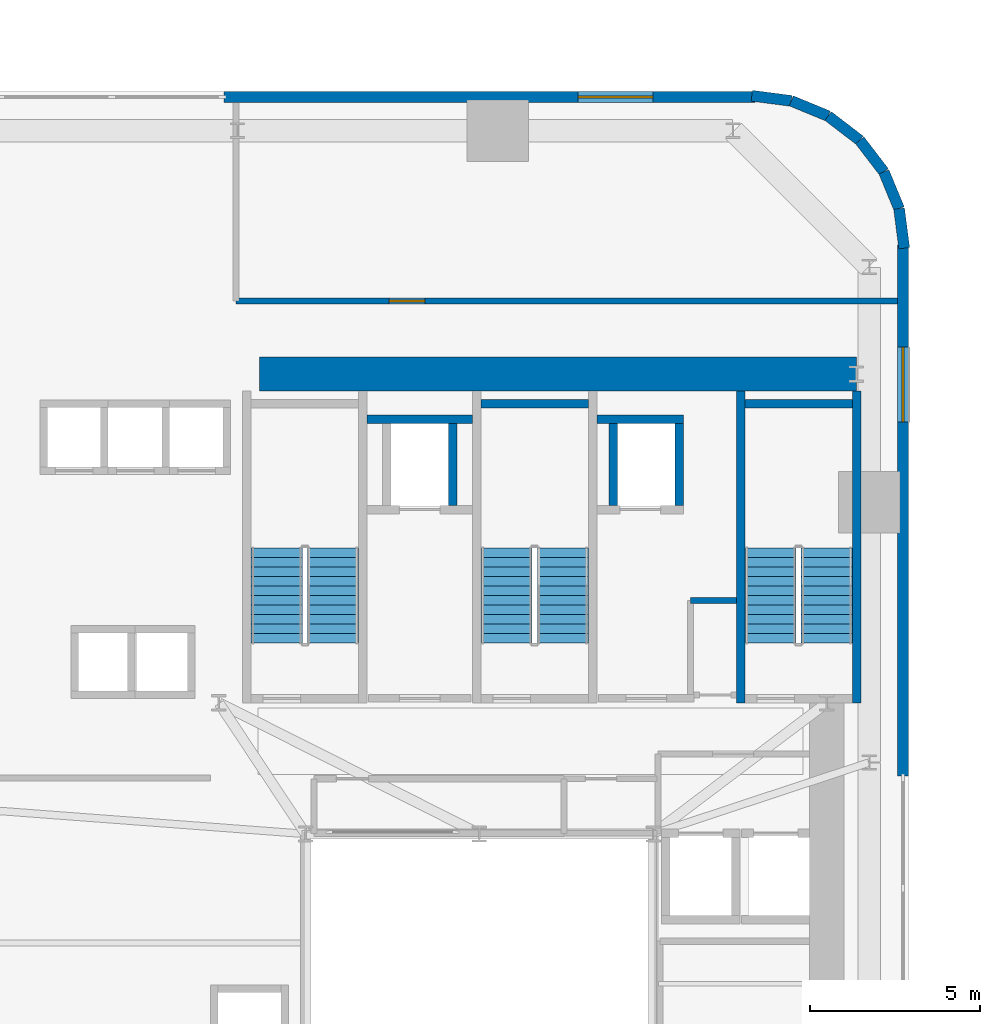
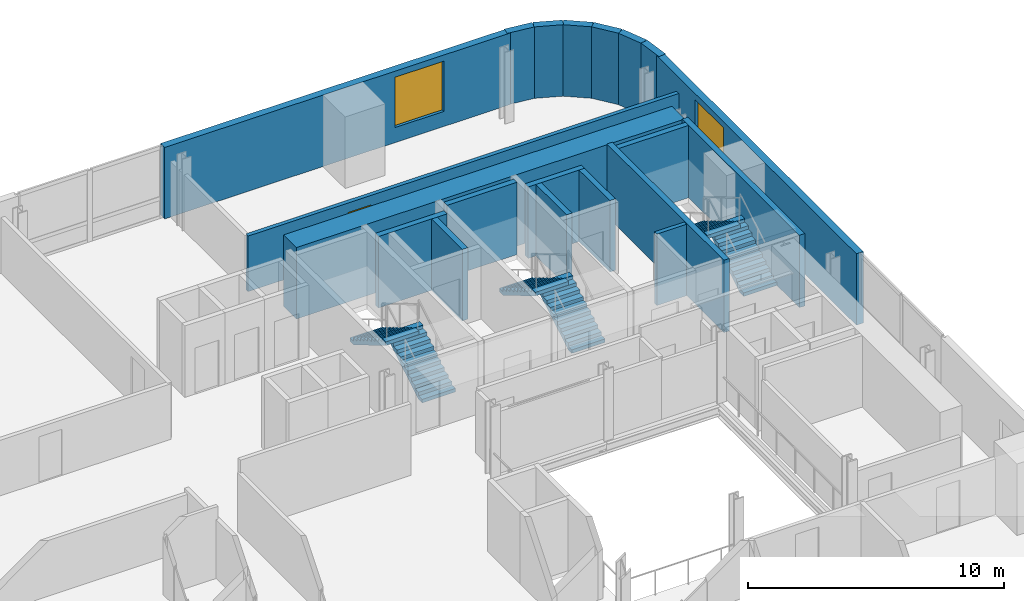
# One storey, part 9 of 13: 20 walls, 6 stair flights, 2 windows, 1 door, 3 openings, 3 elements without a shape of their own.
"""IFC4 building model written with IfcOpenShell, lengths in metres."""

from ifc_helpers import new_model, si_unit, direction, frame, frame_2d, origin, place, context, subcontext, project, spatial, polyline, rectangle, outline, extrude, source, transform, mapped, material, layer, layer_set, type_object, element, fill, aggregate, save


model = new_model("IFC4")

# Units and contexts
model_context = context("Model", 3, precision=1e-05, world=origin(), true_north=direction((0.0, 1.0)))
body_context = subcontext(model_context, "Body", "Model", "MODEL_VIEW")
ifc_project = project(units=[si_unit("LENGTHUNIT", "METRE"), si_unit("AREAUNIT", "SQUARE_METRE"), si_unit("VOLUMEUNIT", "CUBIC_METRE"), si_unit("PLANEANGLEUNIT", "RADIAN"), si_unit("MASSUNIT", "GRAM", prefix="KILO")], contexts=[model_context])

# Site, building, storey
site_placement = place(None, origin())
site = spatial("IfcSite", under=ifc_project, at=site_placement, CompositionType="ELEMENT")
building_placement = place(site_placement, origin())
building = spatial("IfcBuilding", under=site, at=building_placement, Name="Vardaveli Station Tower", CompositionType="ELEMENT")
storey_placement = place(building_placement, frame((0.0, 0.0, 38.550048828125)))
storey = spatial("IfcBuildingStorey", under=building, at=storey_placement, Name="L09", CompositionType="ELEMENT", Elevation=38.550048828125)

# Wall
ifc_material_1 = material(Name="Concrete C60/75", Category="concrete")
ifc_layer_1 = layer(ifc_material_1, 1.0, Name="Concrete C60/75")
ifc_layer_set_1 = layer_set([ifc_layer_1], Name="Concrete C60/75")
wall_type_1 = type_object("IfcWallType", Name="WAL-CORE-1000", PredefinedType="SHEAR", material=ifc_layer_set_1)
shared_shape_1 = source(origin(), body_context, "Body", "SweptSolid", [
    extrude(rectangle(XDim=17.52001953125, YDim=1.0, at=frame_2d((8.760009765625, 0.0))), origin(), (0.0, 0.0, 1.0), 3.409912109375),
])
wall_1_placement = place(storey_placement, frame((29.85009765625, 40.300048828125, 0.0), z_axis=(0.0, 0.0, 1.0), x_axis=(1.0, 0.0, 0.0)))
element("IfcWall", 1, at=wall_1_placement, inside=storey, type_object=wall_type_1, Name="SW-L09-NORTH", PredefinedType="SHEAR", context=body_context, shape_type="MappedRepresentation", body=[
    mapped(shared_shape_1, transform((0.0, 0.0, 0.0), scale=1.0)),
])

# Wall, opening, window
ifc_material_2 = material(Name="Precast concrete C45/55", Category="concrete")
ifc_layer_2 = layer(ifc_material_2, 0.320068359375, Name="Precast concrete C45/55")
ifc_layer_set_2 = layer_set([ifc_layer_2], Name="Precast concrete C45/55")
wall_type_2 = type_object("IfcWallType", Name="WAL-EXT-STONE-320", PredefinedType="SOLIDWALL", material=ifc_layer_set_2)
shared_shape_2 = source(origin(), body_context, "Body", "SweptSolid", [
    extrude(rectangle(XDim=15.599853515625, YDim=0.320068359375, at=frame_2d((7.7998046875, 0.0))), origin(), (0.0, 0.0, 1.0), 3.409912109375),
])
wall_2_placement = place(storey_placement, frame((44.39990234375, 48.43994140625, 0.0), z_axis=(0.0, 0.0, 1.0), x_axis=(-1.0, 0.0, 0.0)))
wall_2 = element("IfcWall", 2, at=wall_2_placement, inside=storey, type_object=wall_type_2, Name="EW-L09-N1", PredefinedType="SOLIDWALL", context=body_context, shape_type="MappedRepresentation", body=[
    mapped(shared_shape_2, transform((0.0, 0.0, 0.0), scale=1.0)),
])
shared_shape_3 = source(origin(), body_context, "Body", "SweptSolid", [
    extrude(rectangle(XDim=2.199951171875, YDim=2.39990234375, at=frame_2d((1.10009765625, 1.199951171875))), frame((0.0, 0.169921875, 0.0), z_axis=(0.0, -1.0, 0.0), x_axis=(1.0, 0.0, 0.0)), (0.0, 0.0, 1.0), 0.340087890625),
])
opening_1_placement = place(wall_2_placement, frame((3.0048828125, 0.0, 0.719970703125)))
opening_1 = element("IfcOpeningElement", 3, at=opening_1_placement, cuts=wall_2, Name="Opening W-03", PredefinedType="OPENING", context=body_context, shape_type="MappedRepresentation", body=[
    mapped(shared_shape_3, transform((0.0, 0.0, 0.0), scale=1.0)),
])
ifc_material_3 = material(Name="Low-E solar-control glass", Category="glass")
window_type = type_object("IfcWindowType", Name="WIN-LOG-2200x2400", PartitioningType="SINGLE_PANEL", PredefinedType="WINDOW", material=ifc_material_3)
shared_shape_4 = source(origin(), body_context, "Body", "SweptSolid", [
    extrude(rectangle(XDim=2.199951171875, YDim=2.39990234375, at=frame_2d((1.10009765625, 1.199951171875))), frame((0.0, 0.030029296875, 0.0), z_axis=(0.0, -1.0, 0.0), x_axis=(1.0, 0.0, 0.0)), (0.0, 0.0, 1.0), 0.06005859375),
])
window_1_placement = place(opening_1_placement, origin())
window_1 = element("IfcWindow", 4, at=window_1_placement, inside=storey, type_object=window_type, Name="WN-L09-N1", OverallHeight=2.39990234375, OverallWidth=2.199951171875, PartitioningType="SINGLE_PANEL", PredefinedType="WINDOW", context=body_context, shape_type="MappedRepresentation", body=[
    mapped(shared_shape_4, transform((0.0, 0.0, 0.0), scale=1.0)),
])
fill(opening_1, window_1)

shared_shape_5 = source(origin(), body_context, "Body", "SweptSolid", [
    extrude(rectangle(XDim=15.60009765625, YDim=0.320068359375, at=frame_2d((7.800048828125, 0.0))), origin(), (0.0, 0.0, 1.0), 3.409912109375),
])
wall_3_placement = place(storey_placement, frame((48.739990234375, 28.5, 0.0), z_axis=(0.0, 0.0, 1.0), x_axis=(0.0, 1.0, 0.0)))
wall_3 = element("IfcWall", 5, at=wall_3_placement, inside=storey, type_object=wall_type_2, Name="EW-L09-E2", PredefinedType="SOLIDWALL", context=body_context, shape_type="MappedRepresentation", body=[
    mapped(shared_shape_5, transform((0.0, 0.0, 0.0), scale=1.0)),
])
opening_2_placement = place(wall_3_placement, frame((10.39501953125, 0.0, 0.719970703125)))
opening_2 = element("IfcOpeningElement", 6, at=opening_2_placement, cuts=wall_3, Name="Opening W-03", PredefinedType="OPENING", context=body_context, shape_type="MappedRepresentation", body=[
    mapped(shared_shape_3, transform((0.0, 0.0, 0.0), scale=1.0)),
])
window_2_placement = place(opening_2_placement, origin())
window_2 = element("IfcWindow", 7, at=window_2_placement, inside=storey, type_object=window_type, Name="WN-L09-E2", OverallHeight=2.39990234375, OverallWidth=2.199951171875, PartitioningType="SINGLE_PANEL", PredefinedType="WINDOW", context=body_context, shape_type="MappedRepresentation", body=[
    mapped(shared_shape_4, transform((0.0, 0.0, 0.0), scale=1.0)),
])
fill(opening_2, window_2)

# Walls
shared_shape_6 = source(origin(), body_context, "Body", "SweptSolid", [
    extrude(rectangle(XDim=1.1689453125, YDim=0.320068359375, at=frame_2d((0.58447265625, 0.0))), origin(), (0.0, 0.0, 1.0), 3.409912109375),
])
wall_4_placement = place(storey_placement, frame((48.179931640625, 46.2412109375, 0.0), z_axis=(0.0, 0.0, 1.0), x_axis=(-0.608387696831, 0.793639975269, 0.0)))
element("IfcWall", 8, at=wall_4_placement, inside=storey, type_object=wall_type_2, Name="EW-L09-CR3-3", PredefinedType="SOLIDWALL", context=body_context, shape_type="MappedRepresentation", body=[
    mapped(shared_shape_6, transform((0.0, 0.0, 0.0), scale=1.0)),
])
shared_shape_7 = source(origin(), body_context, "Body", "SweptSolid", [
    extrude(rectangle(XDim=1.168701171875, YDim=0.320068359375, at=frame_2d((0.58447265625, 0.0))), origin(), (0.0, 0.0, 1.0), 3.409912109375),
])
wall_5_placement = place(storey_placement, frame((47.46875, 47.1689453125, 0.0), z_axis=(0.0, 0.0, 1.0), x_axis=(-0.793663520347, 0.608356981114, 0.0)))
element("IfcWall", 9, at=wall_5_placement, inside=storey, type_object=wall_type_2, Name="EW-L09-CR3-4", PredefinedType="SOLIDWALL", context=body_context, shape_type="MappedRepresentation", body=[
    mapped(shared_shape_7, transform((0.0, 0.0, 0.0), scale=1.0)),
])
shared_shape_8 = source(origin(), body_context, "Body", "SweptSolid", [
    extrude(rectangle(XDim=1.17041015625, YDim=0.320068359375, at=frame_2d((0.585205078125, 0.0))), origin(), (0.0, 0.0, 1.0), 3.409912109375),
])
for number, where, z_axis, x_axis, name in (
    (10, (48.775634765625, 43.99951171875, 0.0), (0.0, 0.0, 1.0), (-0.128295670475, 0.991735963317, 0.0), "EW-L09-CR3-1"),
    (11, (45.460205078125, 48.325439453125, 0.0), (0.0, 0.0, 1.0), (-0.991735963317, 0.128295670475, 0.0), "EW-L09-CR3-6"),
):
    element("IfcWall", number, at=place(storey_placement, frame(where, z_axis=z_axis, x_axis=x_axis)), inside=storey, type_object=wall_type_2, Name=name, PredefinedType="SOLIDWALL", context=body_context, shape_type="MappedRepresentation", body=[
        mapped(shared_shape_8, transform((0.0, 0.0, 0.0), scale=1.0)),
    ])
shared_shape_9 = source(origin(), body_context, "Body", "SweptSolid", [
    extrude(rectangle(XDim=1.169189453125, YDim=0.320068359375, at=frame_2d((0.58447265625, 0.0))), origin(), (0.0, 0.0, 1.0), 3.409912109375),
])
for number, where, z_axis, x_axis, name in (
    (12, (48.62548828125, 45.16015625, 0.0), (0.0, 0.0, 1.0), (-0.381054331552, 0.924552646638, 0.0), "EW-L09-CR3-2"),
    (13, (46.541259765625, 47.8798828125, 0.0), (0.0, 0.0, 1.0), (-0.924552646638, 0.381054331552, 0.0), "EW-L09-CR3-5"),
):
    element("IfcWall", number, at=place(storey_placement, frame(where, z_axis=z_axis, x_axis=x_axis)), inside=storey, type_object=wall_type_2, Name=name, PredefinedType="SOLIDWALL", context=body_context, shape_type="MappedRepresentation", body=[
        mapped(shared_shape_9, transform((0.0, 0.0, 0.0), scale=1.0)),
    ])
ifc_material_4 = material(Name="Concrete C40/50", Category="concrete")
ifc_layer_3 = layer(ifc_material_4, 0.25, Name="Concrete C40/50")
ifc_layer_set_3 = layer_set([ifc_layer_3], Name="Concrete C40/50")
wall_type_3 = type_object("IfcWallType", Name="WAL-SHAFT-250", PredefinedType="SOLIDWALL", material=ifc_layer_set_3)
shared_shape_10 = source(origin(), body_context, "Body", "SweptSolid", [
    extrude(rectangle(XDim=9.150146484375, YDim=0.25, at=frame_2d((4.5751953125, 0.0))), origin(), (0.0, 0.0, 1.0), 3.449951171875),
])
for number, where, z_axis, x_axis, name in (
    (14, (43.97509765625, 30.64990234375, 0.0), (0.0, 0.0, 1.0), (0.0, 1.0, 0.0), "W-L09-ST-3W"),
    (15, (47.375, 30.64990234375, 0.0), (0.0, 0.0, 1.0), (0.0, 1.0, 0.0), "W-L09-ST-3E"),
):
    element("IfcWall", number, at=place(storey_placement, frame(where, z_axis=z_axis, x_axis=x_axis)), inside=storey, type_object=wall_type_3, Name=name, PredefinedType="SOLIDWALL", context=body_context, shape_type="MappedRepresentation", body=[
        mapped(shared_shape_10, transform((0.0, 0.0, 0.0), scale=1.0)),
    ])
shared_shape_11 = source(origin(), body_context, "Body", "SweptSolid", [
    extrude(rectangle(XDim=3.14990234375, YDim=0.25, at=frame_2d((1.574951171875, 0.0))), origin(), (0.0, 0.0, 1.0), 3.449951171875),
])
for number, where, z_axis, x_axis, name in (
    (16, (36.35009765625, 39.425048828125, 0.0), (0.0, 0.0, 1.0), (1.0, 0.0, 0.0), "W-L09-ST-2N"),
    (17, (44.10009765625, 39.425048828125, 0.0), (0.0, 0.0, 1.0), (1.0, 0.0, 0.0), "W-L09-ST-3N"),
):
    element("IfcWall", number, at=place(storey_placement, frame(where, z_axis=z_axis, x_axis=x_axis)), inside=storey, type_object=wall_type_3, Name=name, PredefinedType="SOLIDWALL", context=body_context, shape_type="MappedRepresentation", body=[
        mapped(shared_shape_11, transform((0.0, 0.0, 0.0), scale=1.0)),
    ])
shared_shape_12 = source(origin(), body_context, "Body", "SweptSolid", [
    extrude(rectangle(XDim=3.10009765625, YDim=0.25, at=frame_2d((1.550048828125, 0.0))), origin(), (0.0, 0.0, 1.0), 3.409912109375),
])
wall_6_placement = place(storey_placement, frame((33.0, 38.97509765625, 0.0), z_axis=(0.0, 0.0, 1.0), x_axis=(1.0, 0.0, 0.0)))
element("IfcWall", 18, at=wall_6_placement, inside=storey, type_object=wall_type_3, Name="SHW-FFL-01-L09-N", PredefinedType="SOLIDWALL", context=body_context, shape_type="MappedRepresentation", body=[
    mapped(shared_shape_12, transform((0.0, 0.0, 0.0), scale=1.0)),
])
shared_shape_13 = source(origin(), body_context, "Body", "SweptSolid", [
    extrude(rectangle(XDim=2.400146484375, YDim=0.25, at=frame_2d((1.2001953125, 0.0))), origin(), (0.0, 0.0, 1.0), 3.409912109375),
])
for number, where, z_axis, x_axis, name in (
    (19, (35.52490234375, 36.449951171875, 0.0), (0.0, 0.0, 1.0), (0.0, 1.0, 0.0), "SHW-FFL-01-L09-E"),
    (20, (40.22509765625, 36.449951171875, 0.0), (0.0, 0.0, 1.0), (0.0, 1.0, 0.0), "SHW-FFL-02-L09-W"),
    (21, (42.175048828125, 36.449951171875, 0.0), (0.0, 0.0, 1.0), (0.0, 1.0, 0.0), "SHW-FFL-02-L09-E"),
):
    element("IfcWall", number, at=place(storey_placement, frame(where, z_axis=z_axis, x_axis=x_axis)), inside=storey, type_object=wall_type_3, Name=name, PredefinedType="SOLIDWALL", context=body_context, shape_type="MappedRepresentation", body=[
        mapped(shared_shape_13, transform((0.0, 0.0, 0.0), scale=1.0)),
    ])
shared_shape_14 = source(origin(), body_context, "Body", "SweptSolid", [
    extrude(rectangle(XDim=2.550048828125, YDim=0.25, at=frame_2d((1.27490234375, 0.0))), origin(), (0.0, 0.0, 1.0), 3.409912109375),
])
wall_7_placement = place(storey_placement, frame((39.75, 38.97509765625, 0.0), z_axis=(0.0, 0.0, 1.0), x_axis=(1.0, 0.0, 0.0)))
element("IfcWall", 22, at=wall_7_placement, inside=storey, type_object=wall_type_3, Name="SHW-FFL-02-L09-N", PredefinedType="SOLIDWALL", context=body_context, shape_type="MappedRepresentation", body=[
    mapped(shared_shape_14, transform((0.0, 0.0, 0.0), scale=1.0)),
])

# Wall, opening, door
ifc_material_5 = material(Name="Fire-rated gypsum stud partition")
ifc_layer_4 = layer(ifc_material_5, 0.179931640625, Name="Fire-rated gypsum stud partition")
ifc_layer_set_4 = layer_set([ifc_layer_4], Name="Fire-rated gypsum stud partition")
wall_type_4 = type_object("IfcWallType", Name="WAL-CORR-180", PredefinedType="PARTITIONING", material=ifc_layer_set_4)
shared_shape_15 = source(origin(), body_context, "Body", "SweptSolid", [
    extrude(rectangle(XDim=19.427978515625, YDim=0.179931640625, at=frame_2d((9.7138671875, 0.0))), origin(), (0.0, 0.0, 1.0), 2.65185546875),
])
wall_8_placement = place(storey_placement, frame((29.14990234375, 42.449951171875, 0.0), z_axis=(0.0, 0.0, 1.0), x_axis=(1.0, 0.0, 0.0)))
wall_8 = element("IfcWall", 23, at=wall_8_placement, inside=storey, type_object=wall_type_4, Name="W-L09-NPS", PredefinedType="PARTITIONING", context=body_context, shape_type="MappedRepresentation", body=[
    mapped(shared_shape_15, transform((0.0, 0.0, 0.0), scale=1.0)),
])
shared_shape_16 = source(origin(), body_context, "Body", "SweptSolid", [
    extrude(rectangle(XDim=1.050048828125, YDim=2.199951171875, at=frame_2d((0.52490234375, 1.10009765625))), frame((0.0, 0.10009765625, 0.0), z_axis=(0.0, -1.0, 0.0), x_axis=(1.0, 0.0, 0.0)), (0.0, 0.0, 1.0), 0.199951171875),
])
opening_3_placement = place(wall_8_placement, frame((4.5, 0.0, 0.0)))
opening_3 = element("IfcOpeningElement", 24, at=opening_3_placement, cuts=wall_8, Name="Opening D-05", PredefinedType="OPENING", context=body_context, shape_type="MappedRepresentation", body=[
    mapped(shared_shape_16, transform((0.0, 0.0, 0.0), scale=1.0)),
])
ifc_material_6 = material(Name="Walnut veneer acoustic fire door")
door_type = type_object("IfcDoorType", Name="DR-SUITE-1050x2200", OperationType="NOTDEFINED", PredefinedType="DOOR", material=ifc_material_6)
shared_shape_17 = source(origin(), body_context, "Body", "SweptSolid", [
    extrude(rectangle(XDim=1.050048828125, YDim=2.199951171875, at=frame_2d((0.52490234375, 1.10009765625))), frame((0.0, 0.02490234375, 0.0), z_axis=(0.0, -1.0, 0.0), x_axis=(1.0, 0.0, 0.0)), (0.0, 0.0, 1.0), 0.050048828125),
])
door_placement = place(opening_3_placement, origin())
door = element("IfcDoor", 25, at=door_placement, inside=storey, type_object=door_type, Name="D-L09-NP1", OperationType="SINGLE_SWING_RIGHT", OverallHeight=2.199951171875, OverallWidth=1.050048828125, PredefinedType="DOOR", context=body_context, shape_type="MappedRepresentation", body=[
    mapped(shared_shape_17, transform((0.0, 0.0, 0.0), scale=1.0)),
])
fill(opening_3, door)

# Wall
shared_shape_18 = source(origin(), body_context, "Body", "SweptSolid", [
    extrude(rectangle(XDim=1.347900390625, YDim=0.179931640625, at=frame_2d((0.673828125, 0.0))), origin(), (0.0, 0.0, 1.0), 3.409912109375),
])
wall_9_placement = place(storey_placement, frame((42.5, 33.64990234375, 0.0), z_axis=(0.0, 0.0, 1.0), x_axis=(1.0, 0.0, 0.0)))
element("IfcWall", 26, at=wall_9_placement, inside=storey, type_object=wall_type_4, Name="W-L09-CBS0-N", PredefinedType="PARTITIONING", context=body_context, shape_type="MappedRepresentation", body=[
    mapped(shared_shape_18, transform((0.0, 0.0, 0.0), scale=1.0)),
])

# Stair, stair flights
stair_type = type_object("IfcStairType", Name="STR-CORE-1500", PredefinedType="HALF_TURN_STAIR", material=ifc_material_4)
stair_1_placement = place(storey_placement, origin())
stair_1 = element("IfcStair", 27, at=stair_1_placement, inside=storey, type_object=stair_type, Name="L09 ST-1", PredefinedType="HALF_TURN_STAIR")
stair_flight_type = type_object("IfcStairFlightType", Name="SFL-CORE-1500", PredefinedType="STRAIGHT", material=ifc_material_4)
shared_shape_19 = source(origin(), body_context, "Body", "SweptSolid", [
    extrude(outline(polyline([(0.0, 0.0), (0.0, 0.166015625), (0.280029296875, 0.166015625), (0.280029296875, 0.331787109375), (0.56005859375, 0.331787109375), (0.56005859375, 0.497802734375), (0.840087890625, 0.497802734375), (0.840087890625, 0.66357421875), (1.1201171875, 0.66357421875), (1.1201171875, 0.82958984375), (1.39990234375, 0.82958984375), (1.39990234375, 0.995361328125), (1.679931640625, 0.995361328125), (1.679931640625, 1.161376953125), (1.9599609375, 1.161376953125), (1.9599609375, 1.327392578125), (2.239990234375, 1.327392578125), (2.239990234375, 1.4931640625), (2.52001953125, 1.4931640625), (2.52001953125, 1.6591796875), (2.800048828125, 1.6591796875), (2.800048828125, 1.824951171875), (2.800048828125, 1.48486328125), (0.2939453125, 0.0), (0.0, 0.0)])), frame((0.0, 0.75, 0.0), z_axis=(0.0, -1.0, 0.0), x_axis=(1.0, 0.0, 0.0)), (0.0, 0.0, 1.0), 1.5),
])
stair_flight_1_placement = place(storey_placement, frame((32.0, 32.39990234375, 0.0), z_axis=(0.0, 0.0, 1.0), x_axis=(0.0, 1.0, 0.0)))
stair_flight_1 = element("IfcStairFlight", 28, at=stair_flight_1_placement, type_object=stair_flight_type, Name="ST-1 flight 1", NumberOfRisers=11, NumberOfTreads=10, PredefinedType="STRAIGHT", RiserHeight=0.165909091, TreadLength=0.28, context=body_context, shape_type="MappedRepresentation", body=[
    mapped(shared_shape_19, transform((0.0, 0.0, 0.0), scale=1.0)),
])
stair_flight_2_placement = place(storey_placement, frame((30.35009765625, 35.199951171875, 1.824951171875), z_axis=(0.0, 0.0, 1.0), x_axis=(0.0, -1.0, 0.0)))
stair_flight_2 = element("IfcStairFlight", 29, at=stair_flight_2_placement, type_object=stair_flight_type, Name="ST-1 flight 2", NumberOfRisers=11, NumberOfTreads=10, PredefinedType="STRAIGHT", RiserHeight=0.165909091, TreadLength=0.28, context=body_context, shape_type="MappedRepresentation", body=[
    mapped(shared_shape_19, transform((0.0, 0.0, 0.0), scale=1.0)),
])
aggregate(stair_1, [stair_flight_1, stair_flight_2])

stair_2_placement = place(storey_placement, origin())
stair_2 = element("IfcStair", 30, at=stair_2_placement, inside=storey, type_object=stair_type, Name="L09 ST-2", PredefinedType="HALF_TURN_STAIR")
stair_flight_3_placement = place(storey_placement, frame((38.75, 32.39990234375, 0.0), z_axis=(0.0, 0.0, 1.0), x_axis=(0.0, 1.0, 0.0)))
stair_flight_3 = element("IfcStairFlight", 31, at=stair_flight_3_placement, type_object=stair_flight_type, Name="ST-2 flight 1", NumberOfRisers=11, NumberOfTreads=10, PredefinedType="STRAIGHT", RiserHeight=0.165909091, TreadLength=0.28, context=body_context, shape_type="MappedRepresentation", body=[
    mapped(shared_shape_19, transform((0.0, 0.0, 0.0), scale=1.0)),
])
stair_flight_4_placement = place(storey_placement, frame((37.10009765625, 35.199951171875, 1.824951171875), z_axis=(0.0, 0.0, 1.0), x_axis=(0.0, -1.0, 0.0)))
stair_flight_4 = element("IfcStairFlight", 32, at=stair_flight_4_placement, type_object=stair_flight_type, Name="ST-2 flight 2", NumberOfRisers=11, NumberOfTreads=10, PredefinedType="STRAIGHT", RiserHeight=0.165909091, TreadLength=0.28, context=body_context, shape_type="MappedRepresentation", body=[
    mapped(shared_shape_19, transform((0.0, 0.0, 0.0), scale=1.0)),
])
aggregate(stair_2, [stair_flight_3, stair_flight_4])

stair_3_placement = place(storey_placement, origin())
stair_3 = element("IfcStair", 33, at=stair_3_placement, inside=storey, type_object=stair_type, Name="L09 ST-3", PredefinedType="HALF_TURN_STAIR")
stair_flight_5_placement = place(storey_placement, frame((46.5, 32.39990234375, 0.0), z_axis=(0.0, 0.0, 1.0), x_axis=(0.0, 1.0, 0.0)))
stair_flight_5 = element("IfcStairFlight", 34, at=stair_flight_5_placement, type_object=stair_flight_type, Name="ST-3 flight 1", NumberOfRisers=11, NumberOfTreads=10, PredefinedType="STRAIGHT", RiserHeight=0.165909091, TreadLength=0.28, context=body_context, shape_type="MappedRepresentation", body=[
    mapped(shared_shape_19, transform((0.0, 0.0, 0.0), scale=1.0)),
])
stair_flight_6_placement = place(storey_placement, frame((44.85009765625, 35.199951171875, 1.824951171875), z_axis=(0.0, 0.0, 1.0), x_axis=(0.0, -1.0, 0.0)))
stair_flight_6 = element("IfcStairFlight", 35, at=stair_flight_6_placement, type_object=stair_flight_type, Name="ST-3 flight 2", NumberOfRisers=11, NumberOfTreads=10, PredefinedType="STRAIGHT", RiserHeight=0.165909091, TreadLength=0.28, context=body_context, shape_type="MappedRepresentation", body=[
    mapped(shared_shape_19, transform((0.0, 0.0, 0.0), scale=1.0)),
])
aggregate(stair_3, [stair_flight_5, stair_flight_6])

save(model, "model.ifc")
